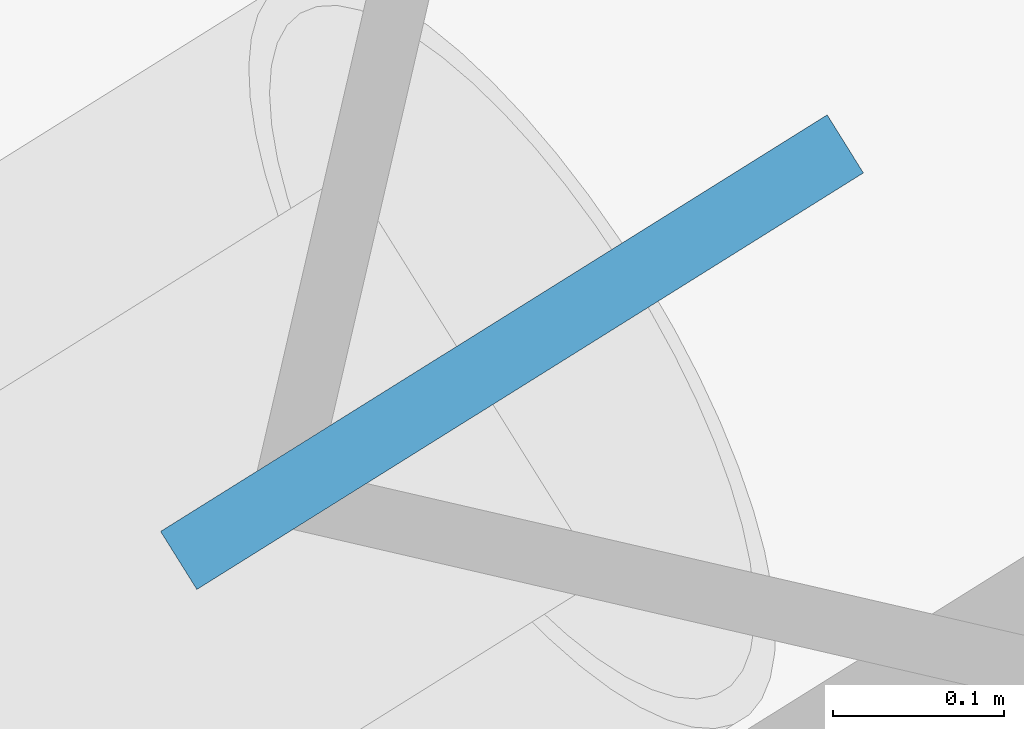
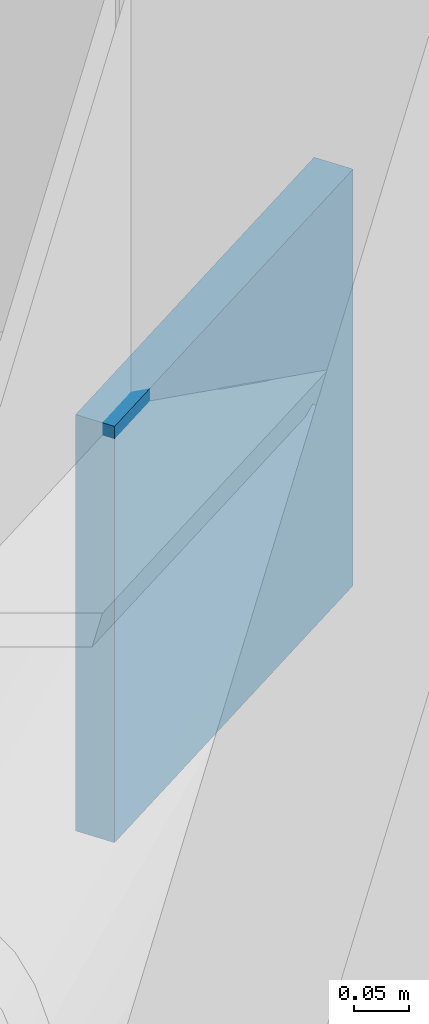
# One storey, part 18 of 21: 1 discrete accessory.
"""IFC4 building model written with IfcOpenShell, lengths in metres."""

from ifc_helpers import new_model, si_unit, direction, frame, origin, origin_2d, place, context, subcontext, project, spatial, rectangle, extrude, material, type_object, element, save


model = new_model("IFC4")

# Units and contexts
model_context = context("Model", 3, precision=1e-05, world=origin(), true_north=direction((0.0, 1.0)))
body_context = subcontext(model_context, "Body", "Model", "MODEL_VIEW")
ifc_project = project(units=[si_unit("LENGTHUNIT", "METRE"), si_unit("AREAUNIT", "SQUARE_METRE"), si_unit("VOLUMEUNIT", "CUBIC_METRE"), si_unit("PLANEANGLEUNIT", "RADIAN"), si_unit("MASSUNIT", "GRAM", prefix="KILO")], contexts=[model_context])

# Site, building, storey
site_placement = place(None, origin())
site = spatial("IfcSite", under=ifc_project, at=site_placement, CompositionType="ELEMENT")
building_placement = place(site_placement, origin())
building = spatial("IfcBuilding", under=site, at=building_placement, Name="Tavrogorsk Clinical Tower", CompositionType="ELEMENT")
storey_placement = place(building_placement, frame((0.0, 0.0, 71.39990234375)))
storey = spatial("IfcBuildingStorey", under=building, at=storey_placement, Name="L15", CompositionType="ELEMENT", Elevation=71.39990234375)

# Discrete accessory
ifc_material = material(Name="Structural steel S440", Category="steel")
discrete_accessory_type = type_object("IfcDiscreteAccessoryType", Name="GussetPlateBracket_25", PredefinedType="BRACKET", material=ifc_material)
discrete_accessory_placement = place(storey_placement, frame((-30.364013671875, 29.9541015625, 2.667724609375), z_axis=(0.0, 0.0, 1.0), x_axis=(0.848048096156, 0.529919264233, 0.0)))
element("IfcDiscreteAccessory", 1, at=discrete_accessory_placement, inside=storey, type_object=discrete_accessory_type, Name="L15 Brace Gusset Plate EXOCRN-L15-3-B", PredefinedType="BRACKET", context=body_context, shape_type="SweptSolid", body=[
    extrude(rectangle(XDim=0.4599609375, YDim=0.0400390625, at=origin_2d()), origin(), (0.0, 0.0, 1.0), 0.4599609375),
])

save(model, "model.ifc")
